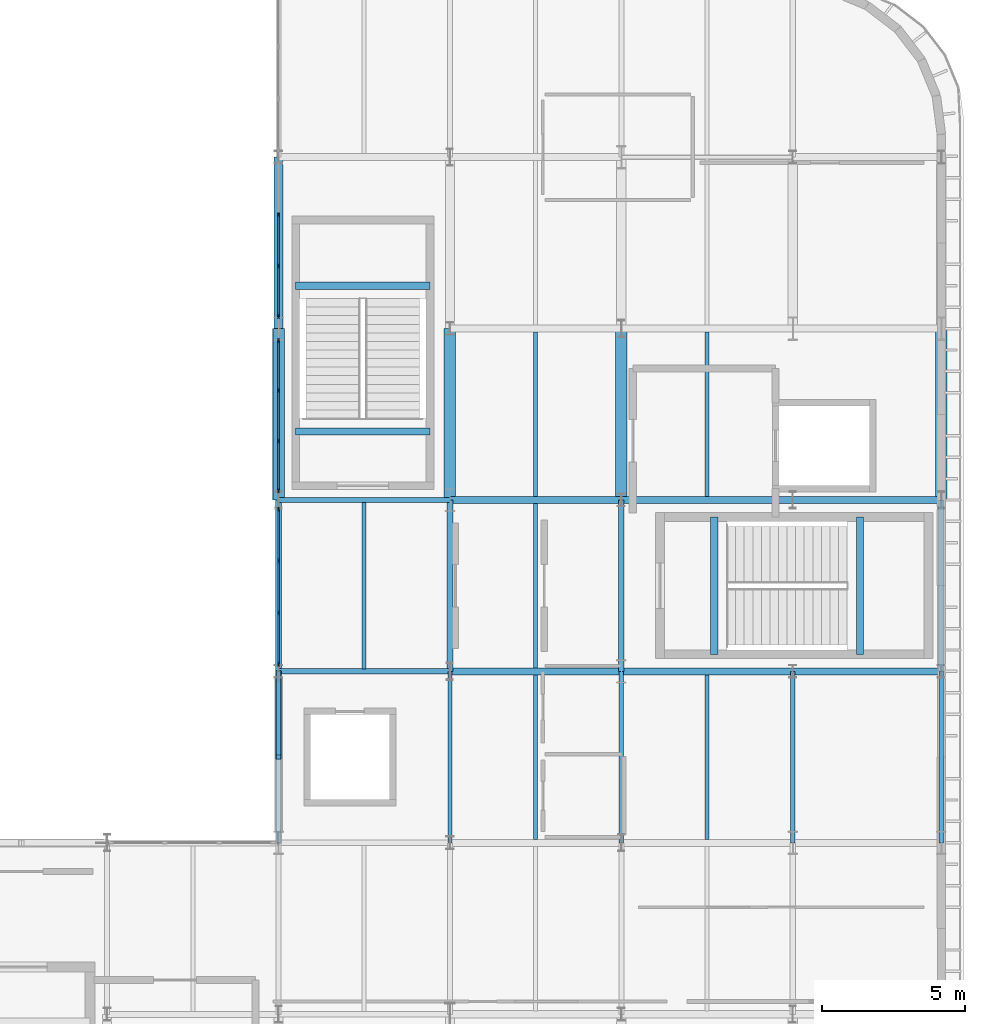
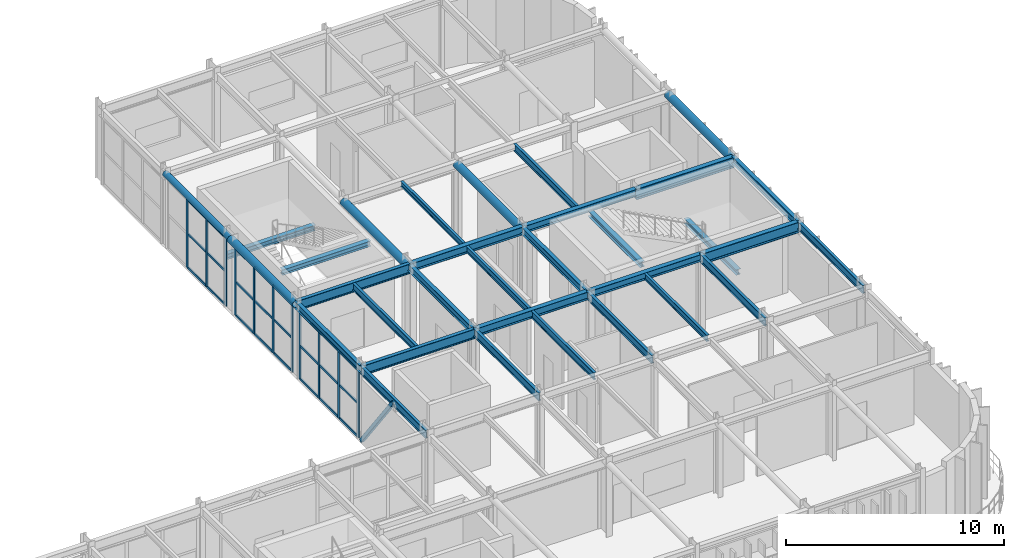
# One storey, part 43 of 84: 36 members, 32 beams, 3 elements without a shape of their own.
"""IFC4 building model written with IfcOpenShell, lengths in metres."""

from ifc_helpers import new_model, si_unit, direction, frame, origin, origin_2d, place, context, subcontext, project, spatial, rectangle, hollow_rectangle, hollow_circle, i_section, extrude, material, material_profile, profile_set, type_object, element, aggregate, save


model = new_model("IFC4")

# Units and contexts
model_context = context("Model", 3, precision=1e-05, world=origin(), true_north=direction((0.0, 1.0)))
body_context = subcontext(model_context, "Body", "Model", "MODEL_VIEW")
ifc_project = project(units=[si_unit("LENGTHUNIT", "METRE"), si_unit("AREAUNIT", "SQUARE_METRE"), si_unit("VOLUMEUNIT", "CUBIC_METRE"), si_unit("PLANEANGLEUNIT", "RADIAN"), si_unit("MASSUNIT", "GRAM", prefix="KILO")], contexts=[model_context])

# Site, building, storey
site_placement = place(None, origin())
site = spatial("IfcSite", under=ifc_project, at=site_placement, CompositionType="ELEMENT")
building_placement = place(site_placement, origin())
building = spatial("IfcBuilding", under=site, at=building_placement, Name="Varnakota Square Police Headquarters", CompositionType="ELEMENT")
storey_placement = place(building_placement, frame((0.0, 0.0, 13.5)))
storey = spatial("IfcBuildingStorey", under=building, at=storey_placement, Name="L03", CompositionType="ELEMENT", Elevation=13.5)

# Beams
ifc_material_1 = material(Name="Steel IS 2062 Grade 350", Category="steel")
ifc_material_profile_1 = material_profile(ifc_material_1, hollow_circle(Radius=0.161865234375, WallThickness=0.0126953125, at=origin_2d()), Name="CHS 323.9x12.7")
ifc_profile_set_1 = profile_set([ifc_material_profile_1], Name="Steel IS 2062 Grade 350")
beam_type_1 = type_object("IfcBeamType", Name="BM-ARC-CHS324", PredefinedType="BEAM", material=ifc_profile_set_1)
beam_1_placement = place(storey_placement, frame((138.0, 33.0, 4.0380859375), z_axis=(0.0, 1.0, 0.0), x_axis=(-1.0, 0.0, 0.0)))
element("IfcBeam", 1, at=beam_1_placement, inside=storey, type_object=beam_type_1, Name="BMG-L03-2718", PredefinedType="BEAM", context=body_context, shape_type="SweptSolid", body=[
    extrude(hollow_circle(Radius=0.161865234375, WallThickness=0.0126953125, at=origin_2d()), origin(), (0.0, 0.0, 1.0), 6.0),
])
ifc_material_profile_2 = material_profile(ifc_material_1, hollow_circle(Radius=0.203125, WallThickness=0.01611328125, at=origin_2d()), Name="CHS 406.4x16.0")
ifc_profile_set_2 = profile_set([ifc_material_profile_2], Name="Steel IS 2062 Grade 350")
beam_type_2 = type_object("IfcBeamType", Name="BM-ARC-CHS406", PredefinedType="BEAM", material=ifc_profile_set_2)
for number, where, z_axis, x_axis, name in (
    (2, (138.0, 27.0, 3.996826171875), (0.0, 1.0, 0.0), (-1.0, 0.0, 0.0), "BMG-L03-2717"),
    (3, (144.0, 27.0, 3.996826171875), (0.0, 1.0, 0.0), (-1.0, 0.0, 0.0), "BMG-L03-2731"),
    (4, (150.0, 27.0, 3.996826171875), (0.0, 1.0, 0.0), (-1.0, 0.0, 0.0), "BMG-L03-2745"),
    (5, (161.199951171875, 27.0, 3.996826171875), (0.0, 1.0, 0.0), (-1.0, 0.0, 0.0), "BMG-L03-2756"),
):
    element("IfcBeam", number, at=place(storey_placement, frame(where, z_axis=z_axis, x_axis=x_axis)), inside=storey, type_object=beam_type_2, Name=name, PredefinedType="BEAM", context=body_context, shape_type="SweptSolid", body=[
        extrude(hollow_circle(Radius=0.203125, WallThickness=0.01611328125, at=origin_2d()), origin(), (0.0, 0.0, 1.0), 6.0),
    ])
ifc_material_profile_3 = material_profile(ifc_material_1, i_section(OverallWidth=0.25, OverallDepth=0.300048828125, WebThickness=0.009521484375, FlangeThickness=0.010498046875, FilletRadius=0.011962890625, at=origin_2d()), Name="ISHB 300")
ifc_profile_set_3 = profile_set([ifc_material_profile_3], Name="Steel IS 2062 Grade 350")
beam_type_3 = type_object("IfcBeamType", Name="BM-ISHB300", PredefinedType="BEAM", material=ifc_profile_set_3)
for number, where, z_axis, x_axis, name in (
    (6, (158.3505859375, 21.60009765625, 1.93408203125), (0.0, 1.0, 0.0), (-1.0, 0.0, 0.0), "Stair landing support beam BM-LND-0023"),
    (7, (153.25, 21.60009765625, 4.14990234375), (0.0, 1.0, 0.0), (-1.0, 0.0, 0.0), "Stair landing support beam BM-LND-0024"),
):
    element("IfcBeam", number, at=place(storey_placement, frame(where, z_axis=z_axis, x_axis=x_axis)), inside=storey, type_object=beam_type_3, Name=name, PredefinedType="BEAM", context=body_context, shape_type="SweptSolid", body=[
        extrude(i_section(OverallWidth=0.25, OverallDepth=0.300048828125, WebThickness=0.009521484375, FlangeThickness=0.010498046875, FilletRadius=0.011962890625, at=origin_2d()), origin(), (0.0, 0.0, 1.0), 4.7998046875),
    ])
for number, where, z_axis, x_axis, name in (
    (8, (138.60009765625, 34.500732421875, 1.93798828125), (1.0, 0.0, 0.0), (0.0, 1.0, 0.0), "Stair landing support beam BM-LND-0038"),
    (9, (138.60009765625, 29.400146484375, 4.14990234375), (1.0, 0.0, 0.0), (0.0, 1.0, 0.0), "Stair landing support beam BM-LND-0039"),
):
    element("IfcBeam", number, at=place(storey_placement, frame(where, z_axis=z_axis, x_axis=x_axis)), inside=storey, type_object=beam_type_3, Name=name, PredefinedType="BEAM", context=body_context, shape_type="SweptSolid", body=[
        extrude(i_section(OverallWidth=0.25, OverallDepth=0.300048828125, WebThickness=0.009521484375, FlangeThickness=0.010498046875, FilletRadius=0.011962890625, at=origin_2d()), origin(), (0.0, 0.0, 1.0), 4.699951171875),
    ])
ifc_material_profile_4 = material_profile(ifc_material_1, i_section(OverallWidth=0.25, OverallDepth=0.39990234375, WebThickness=0.010498046875, FlangeThickness=0.0126953125, FilletRadius=0.013916015625, at=origin_2d()), Name="ISHB 400")
ifc_profile_set_4 = profile_set([ifc_material_profile_4], Name="Steel IS 2062 Grade 350")
beam_type_4 = type_object("IfcBeamType", Name="BM-ISHB400", PredefinedType="BEAM", material=ifc_profile_set_4)
for number, where, z_axis, x_axis, name in (
    (10, (150.0, 21.0, 4.0), (1.0, 0.0, 0.0), (0.0, 1.0, 0.0), "BMG-L03-2453"),
    (11, (150.0, 27.0, 4.0), (1.0, 0.0, 0.0), (0.0, 1.0, 0.0), "BMG-L03-2463"),
):
    element("IfcBeam", number, at=place(storey_placement, frame(where, z_axis=z_axis, x_axis=x_axis)), inside=storey, type_object=beam_type_4, Name=name, PredefinedType="BEAM", context=body_context, shape_type="SweptSolid", body=[
        extrude(i_section(OverallWidth=0.25, OverallDepth=0.39990234375, WebThickness=0.010498046875, FlangeThickness=0.0126953125, FilletRadius=0.013916015625, at=origin_2d()), origin(), (0.0, 0.0, 1.0), 6.0),
    ])
ifc_material_profile_5 = material_profile(ifc_material_1, i_section(OverallWidth=0.25, OverallDepth=0.449951171875, WebThickness=0.01123046875, FlangeThickness=0.013671875, FilletRadius=0.014892578125, at=origin_2d()), Name="ISHB 450")
ifc_profile_set_5 = profile_set([ifc_material_profile_5], Name="Steel IS 2062 Grade 350")
beam_type_5 = type_object("IfcBeamType", Name="BM-ISHB450", PredefinedType="BEAM", material=ifc_profile_set_5)
for number, where, z_axis, x_axis, name in (
    (12, (144.0, 21.0, 3.97509765625), (1.0, 0.0, 0.0), (0.0, 1.0, 0.0), "BMG-L03-2452"),
    (13, (144.0, 27.0, 3.97509765625), (1.0, 0.0, 0.0), (0.0, 1.0, 0.0), "BMG-L03-2462"),
):
    element("IfcBeam", number, at=place(storey_placement, frame(where, z_axis=z_axis, x_axis=x_axis)), inside=storey, type_object=beam_type_5, Name=name, PredefinedType="BEAM", context=body_context, shape_type="SweptSolid", body=[
        extrude(i_section(OverallWidth=0.25, OverallDepth=0.449951171875, WebThickness=0.01123046875, FlangeThickness=0.013671875, FilletRadius=0.014892578125, at=origin_2d()), origin(), (0.0, 0.0, 1.0), 6.0),
    ])
ifc_material_profile_6 = material_profile(ifc_material_1, i_section(OverallWidth=0.139892578125, OverallDepth=0.300048828125, WebThickness=0.0078125, FlangeThickness=0.01318359375, FilletRadius=0.013916015625, at=origin_2d()), Name="ISMB 300")
ifc_profile_set_6 = profile_set([ifc_material_profile_6], Name="Steel IS 2062 Grade 350")
beam_type_6 = type_object("IfcBeamType", Name="BM-ISMB300", PredefinedType="JOIST", material=ifc_profile_set_6)
beam_2_placement = place(storey_placement, frame((147.0, 27.123046875, 4.050048828125), z_axis=(0.0, 1.0, 0.0), x_axis=(-1.0, 0.0, 0.0)))
element("IfcBeam", 14, at=beam_2_placement, inside=storey, type_object=beam_type_6, Name="BMG-L03-2835", PredefinedType="JOIST", context=body_context, shape_type="SweptSolid", body=[
    extrude(i_section(OverallWidth=0.139892578125, OverallDepth=0.300048828125, WebThickness=0.0078125, FlangeThickness=0.01318359375, FilletRadius=0.013916015625, at=origin_2d()), origin(), (0.0, 0.0, 1.0), 5.75390625),
])
ifc_material_profile_7 = material_profile(ifc_material_1, i_section(OverallWidth=0.139892578125, OverallDepth=0.35009765625, WebThickness=0.008056640625, FlangeThickness=0.01416015625, FilletRadius=0.013916015625, at=origin_2d()), Name="ISMB 350")
ifc_profile_set_7 = profile_set([ifc_material_profile_7], Name="Steel IS 2062 Grade 350")
beam_type_7 = type_object("IfcBeamType", Name="BM-ISMB350", PredefinedType="JOIST", material=ifc_profile_set_7)
for number, where, z_axis, x_axis, name in (
    (15, (147.0, 21.123046875, 4.02490234375), (0.0, 1.0, 0.0), (-1.0, 0.0, 0.0), "BMG-L03-2834"),
    (16, (153.0, 15.123046875, 4.02490234375), (0.0, 1.0, 0.0), (-1.0, 0.0, 0.0), "BMG-L03-2839"),
):
    element("IfcBeam", number, at=place(storey_placement, frame(where, z_axis=z_axis, x_axis=x_axis)), inside=storey, type_object=beam_type_7, Name=name, PredefinedType="JOIST", context=body_context, shape_type="SweptSolid", body=[
        extrude(i_section(OverallWidth=0.139892578125, OverallDepth=0.35009765625, WebThickness=0.008056640625, FlangeThickness=0.01416015625, FilletRadius=0.013916015625, at=origin_2d()), origin(), (0.0, 0.0, 1.0), 5.75390625),
    ])
ifc_material_profile_8 = material_profile(ifc_material_1, i_section(OverallWidth=0.139892578125, OverallDepth=0.39990234375, WebThickness=0.0087890625, FlangeThickness=0.01611328125, FilletRadius=0.013916015625, at=origin_2d()), Name="ISMB 400")
ifc_profile_set_8 = profile_set([ifc_material_profile_8], Name="Steel IS 2062 Grade 350")
beam_type_8 = type_object("IfcBeamType", Name="BM-ISMB400", PredefinedType="JOIST", material=ifc_profile_set_8)
beam_3_placement = place(storey_placement, frame((141.0, 21.093017578125, 4.0), z_axis=(0.0, 1.0, 0.0), x_axis=(-1.0, 0.0, 0.0)))
element("IfcBeam", 17, at=beam_3_placement, inside=storey, type_object=beam_type_8, Name="BMG-L03-2824", PredefinedType="JOIST", context=body_context, shape_type="SweptSolid", body=[
    extrude(i_section(OverallWidth=0.139892578125, OverallDepth=0.39990234375, WebThickness=0.0087890625, FlangeThickness=0.01611328125, FilletRadius=0.013916015625, at=origin_2d()), origin(), (0.0, 0.0, 1.0), 5.81396484375),
])
for number, where, z_axis, x_axis, name in (
    (18, (147.0, 15.123046875, 4.0), (0.0, 1.0, 0.0), (-1.0, 0.0, 0.0), "BMG-L03-2833"),
    (19, (153.0, 27.123046875, 4.0), (0.0, 1.0, 0.0), (-1.0, 0.0, 0.0), "BMG-L03-2840"),
):
    element("IfcBeam", number, at=place(storey_placement, frame(where, z_axis=z_axis, x_axis=x_axis)), inside=storey, type_object=beam_type_8, Name=name, PredefinedType="JOIST", context=body_context, shape_type="SweptSolid", body=[
        extrude(i_section(OverallWidth=0.139892578125, OverallDepth=0.39990234375, WebThickness=0.0087890625, FlangeThickness=0.01611328125, FilletRadius=0.013916015625, at=origin_2d()), origin(), (0.0, 0.0, 1.0), 5.75390625),
    ])
ifc_material_profile_9 = material_profile(ifc_material_1, i_section(OverallWidth=0.14990234375, OverallDepth=0.449951171875, WebThickness=0.009521484375, FlangeThickness=0.017333984375, FilletRadius=0.014892578125, at=origin_2d()), Name="ISMB 450")
ifc_profile_set_9 = profile_set([ifc_material_profile_9], Name="Steel IS 2062 Grade 350")
beam_type_9 = type_object("IfcBeamType", Name="BM-ISMB450", PredefinedType="BEAM", material=ifc_profile_set_9)
for number, where, z_axis, x_axis, name in (
    (20, (138.0, 15.0, 3.97509765625), (0.0, 1.0, 0.0), (-1.0, 0.0, 0.0), "BMG-L03-2715"),
    (21, (144.0, 15.0, 3.97509765625), (0.0, 1.0, 0.0), (-1.0, 0.0, 0.0), "BMG-L03-2729"),
    (22, (150.0, 15.0, 3.97509765625), (0.0, 1.0, 0.0), (-1.0, 0.0, 0.0), "BMG-L03-2743"),
    (23, (156.0, 15.0, 3.97509765625), (0.0, 1.0, 0.0), (-1.0, 0.0, 0.0), "BMG-L03-2750"),
    (24, (161.199951171875, 15.0, 3.97509765625), (0.0, 1.0, 0.0), (-1.0, 0.0, 0.0), "BMG-L03-2754"),
):
    element("IfcBeam", number, at=place(storey_placement, frame(where, z_axis=z_axis, x_axis=x_axis)), inside=storey, type_object=beam_type_9, Name=name, PredefinedType="BEAM", context=body_context, shape_type="SweptSolid", body=[
        extrude(i_section(OverallWidth=0.14990234375, OverallDepth=0.449951171875, WebThickness=0.009521484375, FlangeThickness=0.017333984375, FilletRadius=0.014892578125, at=origin_2d()), origin(), (0.0, 0.0, 1.0), 6.0),
    ])
ifc_material_profile_10 = material_profile(ifc_material_1, i_section(OverallWidth=0.18994140625, OverallDepth=0.550048828125, WebThickness=0.01123046875, FlangeThickness=0.019287109375, FilletRadius=0.01806640625, at=origin_2d()), Name="ISMB 550")
ifc_profile_set_10 = profile_set([ifc_material_profile_10], Name="Steel IS 2062 Grade 350")
beam_type_10 = type_object("IfcBeamType", Name="BM-ISMB550", PredefinedType="BEAM", material=ifc_profile_set_10)
for number, where, z_axis, x_axis, name in (
    (25, (138.0, 21.0, 3.925048828125), (1.0, 0.0, 0.0), (0.0, 1.0, 0.0), "BMG-L03-2451"),
    (26, (138.0, 27.0, 3.925048828125), (1.0, 0.0, 0.0), (0.0, 1.0, 0.0), "BMG-L03-2461"),
):
    element("IfcBeam", number, at=place(storey_placement, frame(where, z_axis=z_axis, x_axis=x_axis)), inside=storey, type_object=beam_type_10, Name=name, PredefinedType="BEAM", context=body_context, shape_type="SweptSolid", body=[
        extrude(i_section(OverallWidth=0.18994140625, OverallDepth=0.550048828125, WebThickness=0.01123046875, FlangeThickness=0.019287109375, FilletRadius=0.01806640625, at=origin_2d()), origin(), (0.0, 0.0, 1.0), 6.0),
    ])
ifc_material_profile_11 = material_profile(ifc_material_1, i_section(OverallWidth=0.199951171875, OverallDepth=0.39990234375, WebThickness=0.008544921875, FlangeThickness=0.012939453125, FilletRadius=0.012939453125, at=origin_2d()), Name="ISWB 400")
ifc_profile_set_11 = profile_set([ifc_material_profile_11], Name="Steel IS 2062 Grade 350")
beam_type_11 = type_object("IfcBeamType", Name="BM-ISWB400", PredefinedType="BEAM", material=ifc_profile_set_11)
for number, where, z_axis, x_axis, name in (
    (27, (138.0, 21.0, 4.0), (0.0, 1.0, 0.0), (-1.0, 0.0, 0.0), "BMG-L03-2716"),
    (28, (144.0, 21.0, 4.0), (0.0, 1.0, 0.0), (-1.0, 0.0, 0.0), "BMG-L03-2730"),
    (29, (150.0, 21.0, 4.0), (0.0, 1.0, 0.0), (-1.0, 0.0, 0.0), "BMG-L03-2744"),
    (30, (161.199951171875, 21.0, 4.0), (0.0, 1.0, 0.0), (-1.0, 0.0, 0.0), "BMG-L03-2755"),
):
    element("IfcBeam", number, at=place(storey_placement, frame(where, z_axis=z_axis, x_axis=x_axis)), inside=storey, type_object=beam_type_11, Name=name, PredefinedType="BEAM", context=body_context, shape_type="SweptSolid", body=[
        extrude(i_section(OverallWidth=0.199951171875, OverallDepth=0.39990234375, WebThickness=0.008544921875, FlangeThickness=0.012939453125, FilletRadius=0.012939453125, at=origin_2d()), origin(), (0.0, 0.0, 1.0), 6.0),
    ])
ifc_material_profile_12 = material_profile(ifc_material_1, i_section(OverallWidth=0.25, OverallDepth=0.60009765625, WebThickness=0.01171875, FlangeThickness=0.023681640625, FilletRadius=0.01708984375, at=origin_2d()), Name="ISWB 600")
ifc_profile_set_12 = profile_set([ifc_material_profile_12], Name="Steel IS 2062 Grade 350")
beam_type_12 = type_object("IfcBeamType", Name="BM-ISWB600", PredefinedType="BEAM", material=ifc_profile_set_12)
for number, where, z_axis, x_axis, name in (
    (31, (156.0, 21.0, 3.89990234375), (1.0, 0.0, 0.0), (0.0, 1.0, 0.0), "BMG-L03-2454"),
    (32, (156.0, 27.0, 3.89990234375), (1.0, 0.0, 0.0), (0.0, 1.0, 0.0), "BMG-L03-2464"),
):
    element("IfcBeam", number, at=place(storey_placement, frame(where, z_axis=z_axis, x_axis=x_axis)), inside=storey, type_object=beam_type_12, Name=name, PredefinedType="BEAM", context=body_context, shape_type="SweptSolid", body=[
        extrude(i_section(OverallWidth=0.25, OverallDepth=0.60009765625, WebThickness=0.01171875, FlangeThickness=0.023681640625, FilletRadius=0.01708984375, at=origin_2d()), origin(), (0.0, 0.0, 1.0), 5.199951171875),
    ])

# Curtain wall, members
ifc_material_2 = material(Name="Anodised Aluminium Framing", Category="aluminium")
curtain_wall_type = type_object("IfcCurtainWallType", Name="CW-SYS-E", PredefinedType="NOTDEFINED", material=ifc_material_2)
curtain_wall_1_placement = place(storey_placement, origin())
curtain_wall_1 = element("IfcCurtainWall", 33, at=curtain_wall_1_placement, inside=storey, type_object=curtain_wall_type, Name="Unitised curtain wall CWG-L03-084", PredefinedType="NOTDEFINED")
ifc_material_3 = material(Name="Anodised Aluminium 6063-T6", Category="aluminium")
ifc_material_profile_13 = material_profile(ifc_material_3, rectangle(XDim=0.06494140625, YDim=0.159912109375, at=origin_2d()), Name="ALU MULLION 65x160")
ifc_profile_set_13 = profile_set([ifc_material_profile_13], Name="Anodised Aluminium 6063-T6")
member_type_1 = type_object("IfcMemberType", Name="CWM-150", PredefinedType="MULLION", material=ifc_profile_set_13)
member_1_placement = place(storey_placement, frame((138.0, 21.262451171875, 0.0), z_axis=(0.0, 0.0, 1.0), x_axis=(-1.0, 0.0, 0.0)))
member_1 = element("IfcMember", 34, at=member_1_placement, type_object=member_type_1, Name="CWG-L03-084 mullion 1", PredefinedType="MULLION", context=body_context, shape_type="SweptSolid", body=[
    extrude(rectangle(XDim=0.06494140625, YDim=0.159912109375, at=origin_2d()), origin(), (0.0, 0.0, 1.0), 3.78369140625),
])
member_2_placement = place(storey_placement, frame((138.0, 23.0517578125, 0.0), z_axis=(0.0, 0.0, 1.0), x_axis=(-1.0, 0.0, 0.0)))
member_2 = element("IfcMember", 35, at=member_2_placement, type_object=member_type_1, Name="CWG-L03-084 mullion 2", PredefinedType="MULLION", context=body_context, shape_type="SweptSolid", body=[
    extrude(rectangle(XDim=0.06494140625, YDim=0.159912109375, at=origin_2d()), origin(), (0.0, 0.0, 1.0), 3.78369140625),
])
member_3_placement = place(storey_placement, frame((138.0, 24.873291015625, 0.0), z_axis=(0.0, 0.0, 1.0), x_axis=(-1.0, 0.0, 0.0)))
member_3 = element("IfcMember", 36, at=member_3_placement, type_object=member_type_1, Name="CWG-L03-084 mullion 3", PredefinedType="MULLION", context=body_context, shape_type="SweptSolid", body=[
    extrude(rectangle(XDim=0.06494140625, YDim=0.159912109375, at=origin_2d()), origin(), (0.0, 0.0, 1.0), 3.78369140625),
])
member_4_placement = place(storey_placement, frame((138.0, 26.66259765625, 0.0), z_axis=(0.0, 0.0, 1.0), x_axis=(-1.0, 0.0, 0.0)))
member_4 = element("IfcMember", 37, at=member_4_placement, type_object=member_type_1, Name="CWG-L03-084 mullion 4", PredefinedType="MULLION", context=body_context, shape_type="SweptSolid", body=[
    extrude(rectangle(XDim=0.06494140625, YDim=0.159912109375, at=origin_2d()), origin(), (0.0, 0.0, 1.0), 3.78369140625),
])

curtain_wall_2_placement = place(storey_placement, origin())
curtain_wall_2 = element("IfcCurtainWall", 38, at=curtain_wall_2_placement, inside=storey, type_object=curtain_wall_type, Name="Unitised curtain wall CWG-L03-085", PredefinedType="NOTDEFINED")
member_5_placement = place(storey_placement, frame((138.0, 27.33740234375, 0.0), z_axis=(0.0, 0.0, 1.0), x_axis=(-1.0, 0.0, 0.0)))
member_5 = element("IfcMember", 39, at=member_5_placement, type_object=member_type_1, Name="CWG-L03-085 mullion 1", PredefinedType="MULLION", context=body_context, shape_type="SweptSolid", body=[
    extrude(rectangle(XDim=0.06494140625, YDim=0.159912109375, at=origin_2d()), origin(), (0.0, 0.0, 1.0), 3.78369140625),
])
member_6_placement = place(storey_placement, frame((138.0, 29.068359375, 0.0), z_axis=(0.0, 0.0, 1.0), x_axis=(-1.0, 0.0, 0.0)))
member_6 = element("IfcMember", 40, at=member_6_placement, type_object=member_type_1, Name="CWG-L03-085 mullion 2", PredefinedType="MULLION", context=body_context, shape_type="SweptSolid", body=[
    extrude(rectangle(XDim=0.06494140625, YDim=0.159912109375, at=origin_2d()), origin(), (0.0, 0.0, 1.0), 3.78369140625),
])
member_7_placement = place(storey_placement, frame((138.0, 30.831787109375, 0.0), z_axis=(0.0, 0.0, 1.0), x_axis=(-1.0, 0.0, 0.0)))
member_7 = element("IfcMember", 41, at=member_7_placement, type_object=member_type_1, Name="CWG-L03-085 mullion 3", PredefinedType="MULLION", context=body_context, shape_type="SweptSolid", body=[
    extrude(rectangle(XDim=0.06494140625, YDim=0.159912109375, at=origin_2d()), origin(), (0.0, 0.0, 1.0), 3.78369140625),
])
member_8_placement = place(storey_placement, frame((138.0, 32.5625, 0.0), z_axis=(0.0, 0.0, 1.0), x_axis=(-1.0, 0.0, 0.0)))
member_8 = element("IfcMember", 42, at=member_8_placement, type_object=member_type_1, Name="CWG-L03-085 mullion 4", PredefinedType="MULLION", context=body_context, shape_type="SweptSolid", body=[
    extrude(rectangle(XDim=0.06494140625, YDim=0.159912109375, at=origin_2d()), origin(), (0.0, 0.0, 1.0), 3.78369140625),
])

curtain_wall_3_placement = place(storey_placement, origin())
curtain_wall_3 = element("IfcCurtainWall", 43, at=curtain_wall_3_placement, inside=storey, type_object=curtain_wall_type, Name="Unitised curtain wall CWG-L03-086", PredefinedType="NOTDEFINED")
member_9_placement = place(storey_placement, frame((138.0, 33.4375, 0.0), z_axis=(0.0, 0.0, 1.0), x_axis=(-1.0, 0.0, 0.0)))
member_9 = element("IfcMember", 44, at=member_9_placement, type_object=member_type_1, Name="CWG-L03-086 mullion 1", PredefinedType="MULLION", context=body_context, shape_type="SweptSolid", body=[
    extrude(rectangle(XDim=0.06494140625, YDim=0.159912109375, at=origin_2d()), origin(), (0.0, 0.0, 1.0), 3.840087890625),
])
member_10_placement = place(storey_placement, frame((138.0, 35.193359375, 0.0), z_axis=(0.0, 0.0, 1.0), x_axis=(-1.0, 0.0, 0.0)))
member_10 = element("IfcMember", 45, at=member_10_placement, type_object=member_type_1, Name="CWG-L03-086 mullion 2", PredefinedType="MULLION", context=body_context, shape_type="SweptSolid", body=[
    extrude(rectangle(XDim=0.06494140625, YDim=0.159912109375, at=origin_2d()), origin(), (0.0, 0.0, 1.0), 3.840087890625),
])
member_11_placement = place(storey_placement, frame((138.0, 36.981689453125, 0.0), z_axis=(0.0, 0.0, 1.0), x_axis=(-1.0, 0.0, 0.0)))
member_11 = element("IfcMember", 46, at=member_11_placement, type_object=member_type_1, Name="CWG-L03-086 mullion 3", PredefinedType="MULLION", context=body_context, shape_type="SweptSolid", body=[
    extrude(rectangle(XDim=0.06494140625, YDim=0.159912109375, at=origin_2d()), origin(), (0.0, 0.0, 1.0), 3.840087890625),
])

# Member
ifc_material_profile_14 = material_profile(ifc_material_3, rectangle(XDim=0.06494140625, YDim=0.1298828125, at=origin_2d()), Name="ALU TRANSOM 65x130")
ifc_profile_set_14 = profile_set([ifc_material_profile_14], Name="Anodised Aluminium 6063-T6")
member_type_2 = type_object("IfcMemberType", Name="CWT-120", PredefinedType="USERDEFINED", material=ifc_profile_set_14)
member_12_placement = place(storey_placement, frame((138.0, 21.294921875, 0.032470703125), z_axis=(0.0, 1.0, 0.0), x_axis=(-1.0, 0.0, 0.0)))
member_12 = element("IfcMember", 47, at=member_12_placement, type_object=member_type_2, Name="CWG-L03-084 transom 1.1", ObjectType="TRANSOM", PredefinedType="USERDEFINED", context=body_context, shape_type="SweptSolid", body=[
    extrude(rectangle(XDim=0.06494140625, YDim=0.1298828125, at=origin_2d()), origin(), (0.0, 0.0, 1.0), 1.724365234375),
])

member_13_placement = place(storey_placement, frame((138.0, 21.294921875, 1.891845703125), z_axis=(0.0, 1.0, 0.0), x_axis=(-1.0, 0.0, 0.0)))
member_13 = element("IfcMember", 48, at=member_13_placement, type_object=member_type_2, Name="CWG-L03-084 transom 1.2", ObjectType="TRANSOM", PredefinedType="USERDEFINED", context=body_context, shape_type="SweptSolid", body=[
    extrude(rectangle(XDim=0.06494140625, YDim=0.1298828125, at=origin_2d()), origin(), (0.0, 0.0, 1.0), 1.724365234375),
])

member_14_placement = place(storey_placement, frame((138.0, 21.294921875, 3.751220703125), z_axis=(0.0, 1.0, 0.0), x_axis=(-1.0, 0.0, 0.0)))
member_14 = element("IfcMember", 49, at=member_14_placement, type_object=member_type_2, Name="CWG-L03-084 transom 1.3", ObjectType="TRANSOM", PredefinedType="USERDEFINED", context=body_context, shape_type="SweptSolid", body=[
    extrude(rectangle(XDim=0.06494140625, YDim=0.1298828125, at=origin_2d()), origin(), (0.0, 0.0, 1.0), 1.724365234375),
])

member_15_placement = place(storey_placement, frame((138.0, 23.084228515625, 0.032470703125), z_axis=(0.0, 1.0, 0.0), x_axis=(-1.0, 0.0, 0.0)))
member_15 = element("IfcMember", 50, at=member_15_placement, type_object=member_type_2, Name="CWG-L03-084 transom 2.1", ObjectType="TRANSOM", PredefinedType="USERDEFINED", context=body_context, shape_type="SweptSolid", body=[
    extrude(rectangle(XDim=0.06494140625, YDim=0.1298828125, at=origin_2d()), origin(), (0.0, 0.0, 1.0), 1.756591796875),
])

member_16_placement = place(storey_placement, frame((138.0, 23.084228515625, 1.891845703125), z_axis=(0.0, 1.0, 0.0), x_axis=(-1.0, 0.0, 0.0)))
member_16 = element("IfcMember", 51, at=member_16_placement, type_object=member_type_2, Name="CWG-L03-084 transom 2.2", ObjectType="TRANSOM", PredefinedType="USERDEFINED", context=body_context, shape_type="SweptSolid", body=[
    extrude(rectangle(XDim=0.06494140625, YDim=0.1298828125, at=origin_2d()), origin(), (0.0, 0.0, 1.0), 1.756591796875),
])

member_17_placement = place(storey_placement, frame((138.0, 23.084228515625, 3.751220703125), z_axis=(0.0, 1.0, 0.0), x_axis=(-1.0, 0.0, 0.0)))
member_17 = element("IfcMember", 52, at=member_17_placement, type_object=member_type_2, Name="CWG-L03-084 transom 2.3", ObjectType="TRANSOM", PredefinedType="USERDEFINED", context=body_context, shape_type="SweptSolid", body=[
    extrude(rectangle(XDim=0.06494140625, YDim=0.1298828125, at=origin_2d()), origin(), (0.0, 0.0, 1.0), 1.756591796875),
])

member_18_placement = place(storey_placement, frame((138.0, 24.90576171875, 0.032470703125), z_axis=(0.0, 1.0, 0.0), x_axis=(-1.0, 0.0, 0.0)))
member_18 = element("IfcMember", 53, at=member_18_placement, type_object=member_type_2, Name="CWG-L03-084 transom 3.1", ObjectType="TRANSOM", PredefinedType="USERDEFINED", context=body_context, shape_type="SweptSolid", body=[
    extrude(rectangle(XDim=0.06494140625, YDim=0.1298828125, at=origin_2d()), origin(), (0.0, 0.0, 1.0), 1.72412109375),
])

member_19_placement = place(storey_placement, frame((138.0, 24.90576171875, 1.891845703125), z_axis=(0.0, 1.0, 0.0), x_axis=(-1.0, 0.0, 0.0)))
member_19 = element("IfcMember", 54, at=member_19_placement, type_object=member_type_2, Name="CWG-L03-084 transom 3.2", ObjectType="TRANSOM", PredefinedType="USERDEFINED", context=body_context, shape_type="SweptSolid", body=[
    extrude(rectangle(XDim=0.06494140625, YDim=0.1298828125, at=origin_2d()), origin(), (0.0, 0.0, 1.0), 1.72412109375),
])

member_20_placement = place(storey_placement, frame((138.0, 24.90576171875, 3.751220703125), z_axis=(0.0, 1.0, 0.0), x_axis=(-1.0, 0.0, 0.0)))
member_20 = element("IfcMember", 55, at=member_20_placement, type_object=member_type_2, Name="CWG-L03-084 transom 3.3", ObjectType="TRANSOM", PredefinedType="USERDEFINED", context=body_context, shape_type="SweptSolid", body=[
    extrude(rectangle(XDim=0.06494140625, YDim=0.1298828125, at=origin_2d()), origin(), (0.0, 0.0, 1.0), 1.72412109375),
])

aggregate(curtain_wall_1, [member_1, member_2, member_3, member_4, member_12, member_13, member_14, member_15, member_16, member_17, member_18, member_19, member_20])

member_21_placement = place(storey_placement, frame((138.0, 27.3701171875, 0.032470703125), z_axis=(0.0, 1.0, 0.0), x_axis=(-1.0, 0.0, 0.0)))
member_21 = element("IfcMember", 56, at=member_21_placement, type_object=member_type_2, Name="CWG-L03-085 transom 1.1", ObjectType="TRANSOM", PredefinedType="USERDEFINED", context=body_context, shape_type="SweptSolid", body=[
    extrude(rectangle(XDim=0.06494140625, YDim=0.1298828125, at=origin_2d()), origin(), (0.0, 0.0, 1.0), 1.665771484375),
])

member_22_placement = place(storey_placement, frame((138.0, 27.3701171875, 1.891845703125), z_axis=(0.0, 1.0, 0.0), x_axis=(-1.0, 0.0, 0.0)))
member_22 = element("IfcMember", 57, at=member_22_placement, type_object=member_type_2, Name="CWG-L03-085 transom 1.2", ObjectType="TRANSOM", PredefinedType="USERDEFINED", context=body_context, shape_type="SweptSolid", body=[
    extrude(rectangle(XDim=0.06494140625, YDim=0.1298828125, at=origin_2d()), origin(), (0.0, 0.0, 1.0), 1.665771484375),
])

member_23_placement = place(storey_placement, frame((138.0, 27.3701171875, 3.751220703125), z_axis=(0.0, 1.0, 0.0), x_axis=(-1.0, 0.0, 0.0)))
member_23 = element("IfcMember", 58, at=member_23_placement, type_object=member_type_2, Name="CWG-L03-085 transom 1.3", ObjectType="TRANSOM", PredefinedType="USERDEFINED", context=body_context, shape_type="SweptSolid", body=[
    extrude(rectangle(XDim=0.06494140625, YDim=0.1298828125, at=origin_2d()), origin(), (0.0, 0.0, 1.0), 1.665771484375),
])

member_24_placement = place(storey_placement, frame((138.0, 29.100830078125, 0.032470703125), z_axis=(0.0, 1.0, 0.0), x_axis=(-1.0, 0.0, 0.0)))
member_24 = element("IfcMember", 59, at=member_24_placement, type_object=member_type_2, Name="CWG-L03-085 transom 2.1", ObjectType="TRANSOM", PredefinedType="USERDEFINED", context=body_context, shape_type="SweptSolid", body=[
    extrude(rectangle(XDim=0.06494140625, YDim=0.1298828125, at=origin_2d()), origin(), (0.0, 0.0, 1.0), 1.6982421875),
])

member_25_placement = place(storey_placement, frame((138.0, 29.100830078125, 1.891845703125), z_axis=(0.0, 1.0, 0.0), x_axis=(-1.0, 0.0, 0.0)))
member_25 = element("IfcMember", 60, at=member_25_placement, type_object=member_type_2, Name="CWG-L03-085 transom 2.2", ObjectType="TRANSOM", PredefinedType="USERDEFINED", context=body_context, shape_type="SweptSolid", body=[
    extrude(rectangle(XDim=0.06494140625, YDim=0.1298828125, at=origin_2d()), origin(), (0.0, 0.0, 1.0), 1.6982421875),
])

member_26_placement = place(storey_placement, frame((138.0, 29.100830078125, 3.751220703125), z_axis=(0.0, 1.0, 0.0), x_axis=(-1.0, 0.0, 0.0)))
member_26 = element("IfcMember", 61, at=member_26_placement, type_object=member_type_2, Name="CWG-L03-085 transom 2.3", ObjectType="TRANSOM", PredefinedType="USERDEFINED", context=body_context, shape_type="SweptSolid", body=[
    extrude(rectangle(XDim=0.06494140625, YDim=0.1298828125, at=origin_2d()), origin(), (0.0, 0.0, 1.0), 1.6982421875),
])

member_27_placement = place(storey_placement, frame((138.0, 30.8642578125, 0.032470703125), z_axis=(0.0, 1.0, 0.0), x_axis=(-1.0, 0.0, 0.0)))
member_27 = element("IfcMember", 62, at=member_27_placement, type_object=member_type_2, Name="CWG-L03-085 transom 3.1", ObjectType="TRANSOM", PredefinedType="USERDEFINED", context=body_context, shape_type="SweptSolid", body=[
    extrude(rectangle(XDim=0.06494140625, YDim=0.1298828125, at=origin_2d()), origin(), (0.0, 0.0, 1.0), 1.665771484375),
])

member_28_placement = place(storey_placement, frame((138.0, 30.8642578125, 1.891845703125), z_axis=(0.0, 1.0, 0.0), x_axis=(-1.0, 0.0, 0.0)))
member_28 = element("IfcMember", 63, at=member_28_placement, type_object=member_type_2, Name="CWG-L03-085 transom 3.2", ObjectType="TRANSOM", PredefinedType="USERDEFINED", context=body_context, shape_type="SweptSolid", body=[
    extrude(rectangle(XDim=0.06494140625, YDim=0.1298828125, at=origin_2d()), origin(), (0.0, 0.0, 1.0), 1.665771484375),
])

member_29_placement = place(storey_placement, frame((138.0, 30.8642578125, 3.751220703125), z_axis=(0.0, 1.0, 0.0), x_axis=(-1.0, 0.0, 0.0)))
member_29 = element("IfcMember", 64, at=member_29_placement, type_object=member_type_2, Name="CWG-L03-085 transom 3.3", ObjectType="TRANSOM", PredefinedType="USERDEFINED", context=body_context, shape_type="SweptSolid", body=[
    extrude(rectangle(XDim=0.06494140625, YDim=0.1298828125, at=origin_2d()), origin(), (0.0, 0.0, 1.0), 1.665771484375),
])

aggregate(curtain_wall_2, [member_5, member_6, member_7, member_8, member_21, member_22, member_23, member_24, member_25, member_26, member_27, member_28, member_29])

member_30_placement = place(storey_placement, frame((138.0, 33.469970703125, 0.032470703125), z_axis=(0.0, 1.0, 0.0), x_axis=(-1.0, 0.0, 0.0)))
member_30 = element("IfcMember", 65, at=member_30_placement, type_object=member_type_2, Name="CWG-L03-086 transom 1.1", ObjectType="TRANSOM", PredefinedType="USERDEFINED", context=body_context, shape_type="SweptSolid", body=[
    extrude(rectangle(XDim=0.06494140625, YDim=0.1298828125, at=origin_2d()), origin(), (0.0, 0.0, 1.0), 1.69091796875),
])

member_31_placement = place(storey_placement, frame((138.0, 33.469970703125, 1.919921875), z_axis=(0.0, 1.0, 0.0), x_axis=(-1.0, 0.0, 0.0)))
member_31 = element("IfcMember", 66, at=member_31_placement, type_object=member_type_2, Name="CWG-L03-086 transom 1.2", ObjectType="TRANSOM", PredefinedType="USERDEFINED", context=body_context, shape_type="SweptSolid", body=[
    extrude(rectangle(XDim=0.06494140625, YDim=0.1298828125, at=origin_2d()), origin(), (0.0, 0.0, 1.0), 1.69091796875),
])

member_32_placement = place(storey_placement, frame((138.0, 33.469970703125, 3.8076171875), z_axis=(0.0, 1.0, 0.0), x_axis=(-1.0, 0.0, 0.0)))
member_32 = element("IfcMember", 67, at=member_32_placement, type_object=member_type_2, Name="CWG-L03-086 transom 1.3", ObjectType="TRANSOM", PredefinedType="USERDEFINED", context=body_context, shape_type="SweptSolid", body=[
    extrude(rectangle(XDim=0.06494140625, YDim=0.1298828125, at=origin_2d()), origin(), (0.0, 0.0, 1.0), 1.69091796875),
])

member_33_placement = place(storey_placement, frame((138.0, 35.225830078125, 0.032470703125), z_axis=(0.0, 1.0, 0.0), x_axis=(-1.0, 0.0, 0.0)))
member_33 = element("IfcMember", 68, at=member_33_placement, type_object=member_type_2, Name="CWG-L03-086 transom 2.1", ObjectType="TRANSOM", PredefinedType="USERDEFINED", context=body_context, shape_type="SweptSolid", body=[
    extrude(rectangle(XDim=0.06494140625, YDim=0.1298828125, at=origin_2d()), origin(), (0.0, 0.0, 1.0), 1.723388671875),
])

member_34_placement = place(storey_placement, frame((138.0, 35.225830078125, 1.919921875), z_axis=(0.0, 1.0, 0.0), x_axis=(-1.0, 0.0, 0.0)))
member_34 = element("IfcMember", 69, at=member_34_placement, type_object=member_type_2, Name="CWG-L03-086 transom 2.2", ObjectType="TRANSOM", PredefinedType="USERDEFINED", context=body_context, shape_type="SweptSolid", body=[
    extrude(rectangle(XDim=0.06494140625, YDim=0.1298828125, at=origin_2d()), origin(), (0.0, 0.0, 1.0), 1.723388671875),
])

member_35_placement = place(storey_placement, frame((138.0, 35.225830078125, 3.8076171875), z_axis=(0.0, 1.0, 0.0), x_axis=(-1.0, 0.0, 0.0)))
member_35 = element("IfcMember", 70, at=member_35_placement, type_object=member_type_2, Name="CWG-L03-086 transom 2.3", ObjectType="TRANSOM", PredefinedType="USERDEFINED", context=body_context, shape_type="SweptSolid", body=[
    extrude(rectangle(XDim=0.06494140625, YDim=0.1298828125, at=origin_2d()), origin(), (0.0, 0.0, 1.0), 1.723388671875),
])

aggregate(curtain_wall_3, [member_9, member_10, member_11, member_30, member_31, member_32, member_33, member_34, member_35])

ifc_material_profile_15 = material_profile(ifc_material_1, hollow_rectangle(XDim=0.199951171875, YDim=0.199951171875, WallThickness=0.010009765625, InnerFilletRadius=0.010009765625, OuterFilletRadius=0.02001953125, at=origin_2d()), Name="SHS 200x200x10")
ifc_profile_set_15 = profile_set([ifc_material_profile_15], Name="Steel IS 2062 Grade 350")
member_type_3 = type_object("IfcMemberType", Name="MEM-BR-SHS200", PredefinedType="BRACE", material=ifc_profile_set_15)
member_36_placement = place(storey_placement, frame((138.0, 20.949951171875, 0.02001953125), z_axis=(0.0, -0.600325874044, 0.79975549073), x_axis=(1.0, 0.0, 0.0)))
element("IfcMember", 71, at=member_36_placement, inside=storey, type_object=member_type_3, Name="Lateral brace BF2 L03 right", PredefinedType="BRACE", context=body_context, shape_type="SweptSolid", body=[
    extrude(hollow_rectangle(XDim=0.199951171875, YDim=0.199951171875, WallThickness=0.010009765625, InnerFilletRadius=0.010009765625, OuterFilletRadius=0.02001953125, at=origin_2d()), origin(), (0.0, 0.0, 1.0), 4.913818359375),
])

save(model, "model.ifc")
